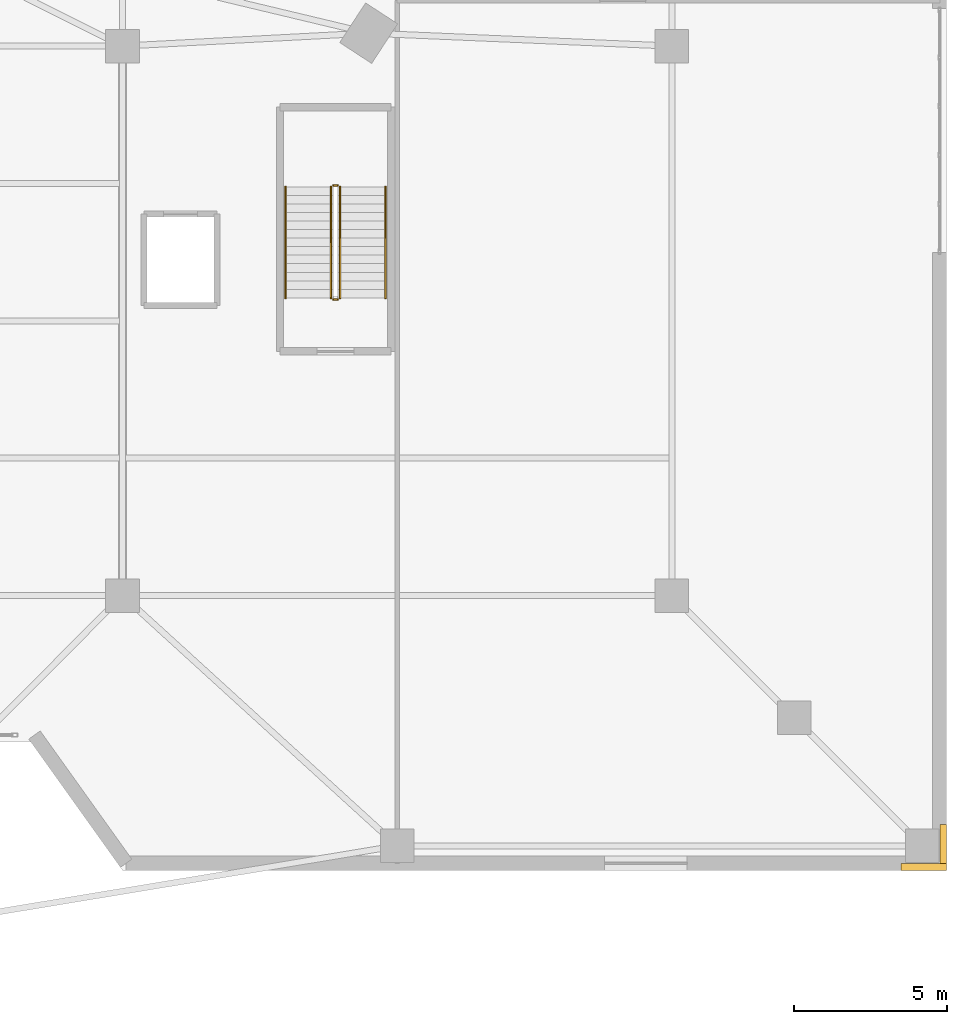
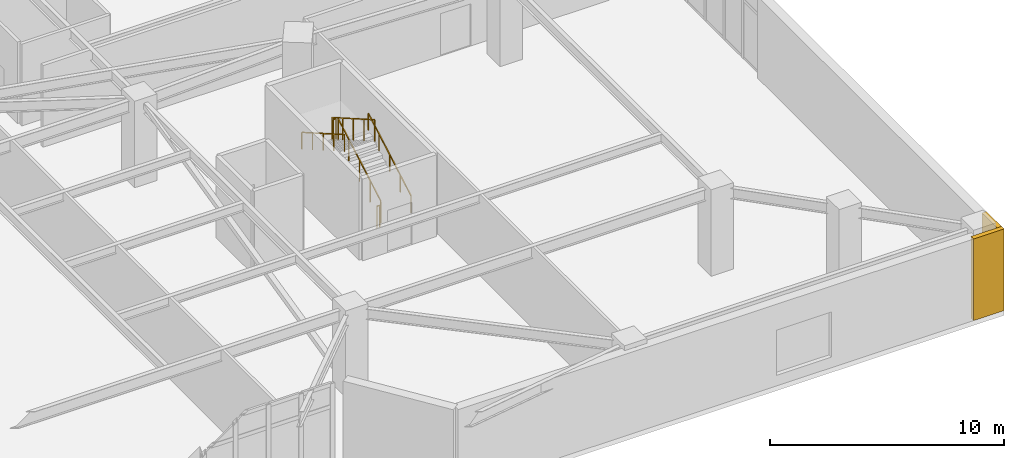
# One storey, part 28 of 29: 6 railings, 2 coverings.
"""IFC4 building model written with IfcOpenShell, lengths in metres."""

from ifc_helpers import new_model, si_unit, direction, frame, origin, origin_2d, place, context, subcontext, project, spatial, rectangle, extrude, source, transform, mapped, material, layer, layer_set, type_object, element, save


model = new_model("IFC4")

# Units and contexts
model_context = context("Model", 3, precision=1e-05, world=origin(), true_north=direction((0.0, 1.0)))
body_context = subcontext(model_context, "Body", "Model", "MODEL_VIEW")
ifc_project = project(units=[si_unit("LENGTHUNIT", "METRE"), si_unit("AREAUNIT", "SQUARE_METRE"), si_unit("VOLUMEUNIT", "CUBIC_METRE"), si_unit("PLANEANGLEUNIT", "RADIAN"), si_unit("MASSUNIT", "GRAM", prefix="KILO")], contexts=[model_context])

# Site, building, storey
site_placement = place(None, origin())
site = spatial("IfcSite", under=ifc_project, at=site_placement, CompositionType="ELEMENT")
building_placement = place(site_placement, origin())
building = spatial("IfcBuilding", under=site, at=building_placement, Name="Liaohun Quay Tower", CompositionType="ELEMENT")
storey_placement = place(building_placement, frame((0.0, 0.0, 5.39990234375)))
storey = spatial("IfcBuildingStorey", under=building, at=storey_placement, Name="L02", CompositionType="ELEMENT", Elevation=5.39990234375)

# Railings
ifc_material_1 = material(Name="Painted tubular steel", Category="steel")
railing_type_1 = type_object("IfcRailingType", Name="RLG-GUARD-STR", PredefinedType="GUARDRAIL", material=ifc_material_1)
railing_1_placement = place(storey_placement, frame((85.1298828125, 33.75, 0.160888671875)))
element("IfcRailing", 1, at=railing_1_placement, inside=storey, type_object=railing_type_1, Name="L02 ST-P2 stair guard 1", PredefinedType="GUARDRAIL", context=body_context, shape_type="SweptSolid", body=[
    extrude(rectangle(XDim=0.048095703125, YDim=0.048095703125, at=origin_2d()), frame((0.0, 0.0, 1.1259765625), z_axis=(0.0, 0.867300072446, 0.497785681127), x_axis=(-1.0, 0.0, 0.0)), (0.0, 0.0, 1.0), 4.19677734375),
    extrude(rectangle(XDim=0.0419921875, YDim=0.0419921875, at=origin_2d()), origin(), (0.0, 0.0, 1.0), 1.101806640625),
    extrude(rectangle(XDim=0.0419921875, YDim=0.0419921875, at=origin_2d()), frame((0.0, 0.909912109375, 0.522216796875)), (0.0, 0.0, 1.0), 1.101806640625),
    extrude(rectangle(XDim=0.0419921875, YDim=0.0419921875, at=origin_2d()), frame((0.0, 1.81982421875, 1.04443359375)), (0.0, 0.0, 1.0), 1.101806640625),
    extrude(rectangle(XDim=0.0419921875, YDim=0.0419921875, at=origin_2d()), frame((0.0, 2.72998046875, 1.56689453125)), (0.0, 0.0, 1.0), 1.101806640625),
    extrude(rectangle(XDim=0.0419921875, YDim=0.0419921875, at=origin_2d()), frame((0.0, 3.639892578125, 2.089111328125)), (0.0, 0.0, 1.0), 1.101806640625),
])
railing_2_placement = place(storey_placement, frame((85.050048828125, 37.43994140625, 2.25)))
element("IfcRailing", 2, at=railing_2_placement, inside=storey, type_object=railing_type_1, Name="L02 ST-P2 stair guard 2", PredefinedType="GUARDRAIL", context=body_context, shape_type="SweptSolid", body=[
    extrude(rectangle(XDim=0.048095703125, YDim=0.048095703125, at=origin_2d()), frame((0.0, 0.0, 1.1259765625), z_axis=(-1.0, 0.0, 0.0), x_axis=(0.0, -1.0, 0.0)), (0.0, 0.0, 1.0), 0.14013671875),
    extrude(rectangle(XDim=0.0419921875, YDim=0.0419921875, at=origin_2d()), origin(), (0.0, 0.0, 1.0), 1.101806640625),
    extrude(rectangle(XDim=0.0419921875, YDim=0.0419921875, at=origin_2d()), frame((-0.14013671875, 0.0, 0.0)), (0.0, 0.0, 1.0), 1.101806640625),
])
railing_3_placement = place(storey_placement, frame((84.830078125, 37.389892578125, 2.410888671875)))
element("IfcRailing", 3, at=railing_3_placement, inside=storey, type_object=railing_type_1, Name="L02 ST-P2 stair guard 3", PredefinedType="GUARDRAIL", context=body_context, shape_type="SweptSolid", body=[
    extrude(rectangle(XDim=0.048095703125, YDim=0.048095703125, at=origin_2d()), frame((0.0, 0.0, 1.1259765625), z_axis=(0.0, -0.867300072446, 0.497785681127), x_axis=(1.0, 0.0, 0.0)), (0.0, 0.0, 1.0), 4.19677734375),
    extrude(rectangle(XDim=0.0419921875, YDim=0.0419921875, at=origin_2d()), origin(), (0.0, 0.0, 1.0), 1.101806640625),
    extrude(rectangle(XDim=0.0419921875, YDim=0.0419921875, at=origin_2d()), frame((0.0, -0.909912109375, 0.522216796875)), (0.0, 0.0, 1.0), 1.101806640625),
    extrude(rectangle(XDim=0.0419921875, YDim=0.0419921875, at=origin_2d()), frame((0.0, -1.81982421875, 1.04443359375)), (0.0, 0.0, 1.0), 1.101806640625),
    extrude(rectangle(XDim=0.0419921875, YDim=0.0419921875, at=origin_2d()), frame((0.0, -2.72998046875, 1.56689453125)), (0.0, 0.0, 1.0), 1.101806640625),
    extrude(rectangle(XDim=0.0419921875, YDim=0.0419921875, at=origin_2d()), frame((0.0, -3.639892578125, 2.089111328125)), (0.0, 0.0, 1.0), 1.101806640625),
])
railing_4_placement = place(storey_placement, frame((85.050048828125, 33.699951171875, 0.0)))
element("IfcRailing", 4, at=railing_4_placement, inside=storey, type_object=railing_type_1, Name="L02 ST-P2 stair guard 4", PredefinedType="GUARDRAIL", context=body_context, shape_type="SweptSolid", body=[
    extrude(rectangle(XDim=0.048095703125, YDim=0.048095703125, at=origin_2d()), frame((0.0, 0.0, 1.1259765625), z_axis=(-1.0, 0.0, 0.0), x_axis=(0.0, -1.0, 0.0)), (0.0, 0.0, 1.0), 0.14013671875),
    extrude(rectangle(XDim=0.0419921875, YDim=0.0419921875, at=origin_2d()), origin(), (0.0, 0.0, 1.0), 1.101806640625),
    extrude(rectangle(XDim=0.0419921875, YDim=0.0419921875, at=origin_2d()), frame((-0.14013671875, 0.0, 0.0)), (0.0, 0.0, 1.0), 1.101806640625),
])
ifc_material_2 = material(Name="Brushed stainless steel", Category="steel")
railing_type_2 = type_object("IfcRailingType", Name="RLG-HND-STR", PredefinedType="HANDRAIL", material=ifc_material_2)
railing_5_placement = place(storey_placement, frame((86.6201171875, 33.75, 0.160888671875)))
element("IfcRailing", 5, at=railing_5_placement, inside=storey, type_object=railing_type_2, Name="L02 ST-P2 stair handrail 1", PredefinedType="HANDRAIL", context=body_context, shape_type="SweptSolid", body=[
    extrude(rectangle(XDim=0.048095703125, YDim=0.048095703125, at=origin_2d()), frame((0.0, 0.0, 0.8759765625), z_axis=(0.0, 0.867300072446, 0.497785681127), x_axis=(-1.0, 0.0, 0.0)), (0.0, 0.0, 1.0), 4.19677734375),
    extrude(rectangle(XDim=0.0419921875, YDim=0.0419921875, at=origin_2d()), origin(), (0.0, 0.0, 1.0), 0.851806640625),
    extrude(rectangle(XDim=0.0419921875, YDim=0.0419921875, at=origin_2d()), frame((0.0, 0.909912109375, 0.522216796875)), (0.0, 0.0, 1.0), 0.851806640625),
    extrude(rectangle(XDim=0.0419921875, YDim=0.0419921875, at=origin_2d()), frame((0.0, 1.81982421875, 1.04443359375)), (0.0, 0.0, 1.0), 0.851806640625),
    extrude(rectangle(XDim=0.0419921875, YDim=0.0419921875, at=origin_2d()), frame((0.0, 2.72998046875, 1.56689453125)), (0.0, 0.0, 1.0), 0.851806640625),
    extrude(rectangle(XDim=0.0419921875, YDim=0.0419921875, at=origin_2d()), frame((0.0, 3.639892578125, 2.089111328125)), (0.0, 0.0, 1.0), 0.851806640625),
])
railing_6_placement = place(storey_placement, frame((83.340087890625, 37.389892578125, 2.410888671875)))
element("IfcRailing", 6, at=railing_6_placement, inside=storey, type_object=railing_type_2, Name="L02 ST-P2 stair handrail 2", PredefinedType="HANDRAIL", context=body_context, shape_type="SweptSolid", body=[
    extrude(rectangle(XDim=0.048095703125, YDim=0.048095703125, at=origin_2d()), frame((0.0, 0.0, 0.8759765625), z_axis=(0.0, -0.867300072446, 0.497785681127), x_axis=(1.0, 0.0, 0.0)), (0.0, 0.0, 1.0), 4.19677734375),
    extrude(rectangle(XDim=0.0419921875, YDim=0.0419921875, at=origin_2d()), origin(), (0.0, 0.0, 1.0), 0.851806640625),
    extrude(rectangle(XDim=0.0419921875, YDim=0.0419921875, at=origin_2d()), frame((0.0, -0.909912109375, 0.522216796875)), (0.0, 0.0, 1.0), 0.851806640625),
    extrude(rectangle(XDim=0.0419921875, YDim=0.0419921875, at=origin_2d()), frame((0.0, -1.81982421875, 1.04443359375)), (0.0, 0.0, 1.0), 0.851806640625),
    extrude(rectangle(XDim=0.0419921875, YDim=0.0419921875, at=origin_2d()), frame((0.0, -2.72998046875, 1.56689453125)), (0.0, 0.0, 1.0), 0.851806640625),
    extrude(rectangle(XDim=0.0419921875, YDim=0.0419921875, at=origin_2d()), frame((0.0, -3.639892578125, 2.089111328125)), (0.0, 0.0, 1.0), 0.851806640625),
])

# Coverings
ifc_material_3 = material(Name="Bush-hammered Liaodong grey granite stone cladding", Category="masonry")
ifc_layer = layer(ifc_material_3, 0.0400390625, Name="Bush-hammered Liaodong grey granite stone cladding", Category="masonry")
ifc_layer_set = layer_set([ifc_layer], Name="Bush-hammered Liaodong grey granite stone cladding")
covering_type = type_object("IfcCoveringType", Name="COV-EXT-CLD", PredefinedType="CLADDING", material=ifc_layer_set)
shared_shape_1 = source(origin(), body_context, "Body", "SweptSolid", [
    extrude(rectangle(XDim=1.5, YDim=0.219970703125, at=origin_2d()), origin(), (0.0, 0.0, 1.0), 4.25),
])
covering_1_placement = place(storey_placement, frame((104.25, 15.110107421875, 0.0), z_axis=(0.0, 0.0, 1.0), x_axis=(1.0, 0.0, 0.0)))
element("IfcCovering", 7, at=covering_1_placement, inside=storey, type_object=covering_type, Name="L02 Corner Granite Pier Cladding SE-X", PredefinedType="CLADDING", context=body_context, shape_type="MappedRepresentation", body=[
    mapped(shared_shape_1, transform((0.0, 0.0, 0.0), x_axis=(1.0, 0.0, 0.0), y_axis=(0.0, 1.0, 0.0), z_axis=(0.0, 0.0, 1.0), scale=1.0)),
])
shared_shape_2 = source(origin(), body_context, "Body", "SweptSolid", [
    extrude(rectangle(XDim=0.219970703125, YDim=1.280029296875, at=origin_2d()), origin(), (0.0, 0.0, 1.0), 4.25),
])
covering_2_placement = place(storey_placement, frame((104.889892578125, 15.860107421875, 0.0), z_axis=(0.0, 0.0, 1.0), x_axis=(1.0, 0.0, 0.0)))
element("IfcCovering", 8, at=covering_2_placement, inside=storey, type_object=covering_type, Name="L02 Corner Granite Pier Cladding SE-Y", PredefinedType="CLADDING", context=body_context, shape_type="MappedRepresentation", body=[
    mapped(shared_shape_2, transform((0.0, 0.0, 0.0), x_axis=(1.0, 0.0, 0.0), y_axis=(0.0, 1.0, 0.0), z_axis=(0.0, 0.0, 1.0), scale=1.0)),
])

save(model, "model.ifc")
